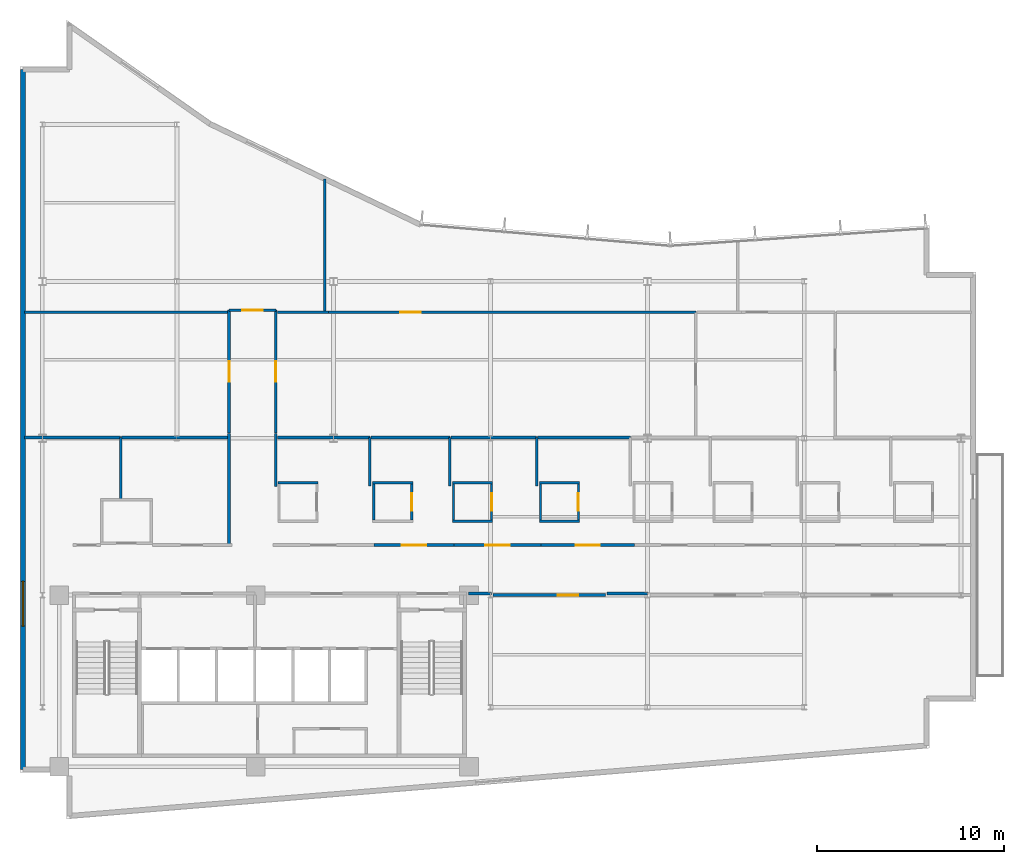
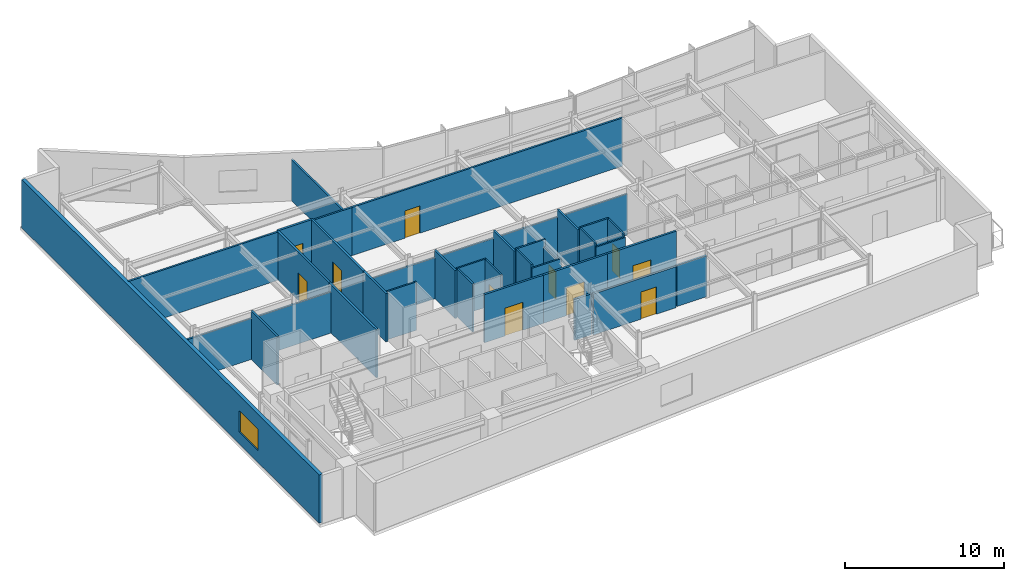
# One storey, part 10 of 15: 38 walls, 11 doors, 1 window, 12 openings.
"""IFC4 building model written with IfcOpenShell, lengths in metres."""

from ifc_helpers import new_model, si_unit, direction, frame, frame_2d, origin, place, context, subcontext, project, spatial, rectangle, extrude, material, layer, layer_set, type_object, element, fill, save


model = new_model("IFC4")

# Units and contexts
model_context = context("Model", 3, precision=1e-05, world=origin(), true_north=direction((0.0, 1.0)))
body_context = subcontext(model_context, "Body", "Model", "MODEL_VIEW")
ifc_project = project(units=[si_unit("LENGTHUNIT", "METRE"), si_unit("AREAUNIT", "SQUARE_METRE"), si_unit("VOLUMEUNIT", "CUBIC_METRE"), si_unit("PLANEANGLEUNIT", "RADIAN"), si_unit("MASSUNIT", "GRAM", prefix="KILO")], contexts=[model_context])

# Site, building, storey
site_placement = place(None, origin())
site = spatial("IfcSite", under=ifc_project, at=site_placement, CompositionType="ELEMENT")
building_placement = place(site_placement, origin())
building = spatial("IfcBuilding", under=site, at=building_placement, Name="Varnakote Quay Hospital", CompositionType="ELEMENT")
storey_placement = place(building_placement, frame((0.0, 0.0, 196.050048828125)))
storey = spatial("IfcBuildingStorey", under=building, at=storey_placement, Name="L48", CompositionType="ELEMENT", Elevation=196.050048828125)

# Walls
ifc_material_1 = material(Name="Fire-rated acoustic gypsum stud wall", Category="gypsum")
ifc_layer_1 = layer(ifc_material_1, 0.159912109375)
ifc_layer_set_1 = layer_set([ifc_layer_1], Name="Fire-rated acoustic gypsum stud wall")
wall_type_1 = type_object("IfcWallType", Name="WL-COMP-160", PredefinedType="PARTITIONING", material=ifc_layer_set_1)
wall_1_placement = place(storey_placement, frame((24.02001953125, 12.080078125, 0.0), z_axis=(0.0, 0.0, 1.0), x_axis=(1.0, 0.0, 0.0)))
element("IfcWall", 1, at=wall_1_placement, inside=storey, type_object=wall_type_1, Name="L48 Corridor South Gap Wall", PredefinedType="PARTITIONING", context=body_context, shape_type="SweptSolid", body=[
    extrude(rectangle(XDim=1.21875, YDim=0.159912109375, at=frame_2d((0.609375, 0.0))), origin(), (0.0, 0.0, 1.0), 3.15185546875),
])
wall_2_placement = place(storey_placement, frame((31.439208984375, 12.080078125, 0.0), z_axis=(0.0, 0.0, 1.0), x_axis=(1.0, 0.0, 0.0)))
element("IfcWall", 2, at=wall_2_placement, inside=storey, type_object=wall_type_1, Name="L48 Corridor South Gap Wall", PredefinedType="PARTITIONING", context=body_context, shape_type="SweptSolid", body=[
    extrude(rectangle(XDim=2.199462890625, YDim=0.159912109375, at=frame_2d((1.099609375, 0.0))), origin(), (0.0, 0.0, 1.0), 3.15185546875),
])
ifc_material_2 = material(Name="Moisture-resistant bathroom partition", Category="gypsum")
ifc_layer_2 = layer(ifc_material_2, 0.114990234375)
ifc_layer_set_2 = layer_set([ifc_layer_2], Name="Moisture-resistant bathroom partition")
wall_type_2 = type_object("IfcWallType", Name="WL-ENS-115", PredefinedType="PARTITIONING", material=ifc_layer_set_2)
wall_3_placement = place(storey_placement, frame((13.804931640625, 18.017578125, 0.0), z_axis=(0.0, 0.0, 1.0), x_axis=(1.0, 0.0, 0.0)))
element("IfcWall", 3, at=wall_3_placement, inside=storey, type_object=wall_type_2, Name="L48 Inpatient En-Suite Bathroom 01 N Wall", PredefinedType="PARTITIONING", context=body_context, shape_type="SweptSolid", body=[
    extrude(rectangle(XDim=2.150146484375, YDim=0.114990234375, at=frame_2d((1.0751953125, 0.0))), origin(), (0.0, 0.0, 1.0), 3.7099609375),
])
wall_4_placement = place(storey_placement, frame((18.885009765625, 18.017578125, 0.0), z_axis=(0.0, 0.0, 1.0), x_axis=(1.0, 0.0, 0.0)))
element("IfcWall", 4, at=wall_4_placement, inside=storey, type_object=wall_type_2, Name="L48 Inpatient En-Suite Bathroom 02 N Wall", PredefinedType="PARTITIONING", context=body_context, shape_type="SweptSolid", body=[
    extrude(rectangle(XDim=2.14990234375, YDim=0.114990234375, at=frame_2d((1.074951171875, 0.0))), origin(), (0.0, 0.0, 1.0), 3.7099609375),
])
wall_5_placement = place(storey_placement, frame((18.9423828125, 16.010009765625, 0.0), z_axis=(0.0, 0.0, 1.0), x_axis=(0.0, 1.0, 0.0)))
element("IfcWall", 5, at=wall_5_placement, inside=storey, type_object=wall_type_2, Name="L48 Inpatient En-Suite Bathroom 02 W Wall", PredefinedType="PARTITIONING", context=body_context, shape_type="SweptSolid", body=[
    extrude(rectangle(XDim=1.949951171875, YDim=0.114990234375, at=frame_2d((0.97509765625, 0.0))), origin(), (0.0, 0.0, 1.0), 3.7099609375),
])

# Wall, opening, door
wall_6_placement = place(storey_placement, frame((20.9775390625, 16.010009765625, 0.0), z_axis=(0.0, 0.0, 1.0), x_axis=(0.0, 1.0, 0.0)))
wall_6 = element("IfcWall", 6, at=wall_6_placement, inside=storey, type_object=wall_type_2, Name="L48 Inpatient En-Suite Bathroom 02 E Wall", PredefinedType="PARTITIONING", context=body_context, shape_type="SweptSolid", body=[
    extrude(rectangle(XDim=1.949951171875, YDim=0.114990234375, at=frame_2d((0.97509765625, 0.0))), origin(), (0.0, 0.0, 1.0), 3.7099609375),
])
opening_1_placement = place(wall_6_placement, frame((0.514892578125, 0.0, 0.0)))
opening_1 = element("IfcOpeningElement", 7, at=opening_1_placement, cuts=wall_6, Name="Opening D-L48-ENS02", PredefinedType="OPENING", context=body_context, shape_type="SweptSolid", body=[
    extrude(rectangle(XDim=0.919921875, YDim=2.10009765625, at=frame_2d((0.4599609375, 1.050048828125))), frame((0.0, 0.0673828125, 0.0), z_axis=(0.0, -1.0, 0.0), x_axis=(1.0, 0.0, 0.0)), (0.0, 0.0, 1.0), 0.135009765625),
])
ifc_material_3 = material(Name="Moisture-sealed en-suite bathroom door")
door_type_1 = type_object("IfcDoorType", Name="DR-ENS-920x2100", OperationType="NOTDEFINED", PredefinedType="DOOR", material=ifc_material_3)
door_1_placement = place(opening_1_placement, origin())
door_1 = element("IfcDoor", 8, at=door_1_placement, inside=storey, type_object=door_type_1, Name="L48 Inpatient En-Suite Bathroom 02 Door", OperationType="SINGLE_SWING_LEFT", OverallHeight=2.10009765625, OverallWidth=0.919921875, PredefinedType="DOOR", context=body_context, shape_type="SweptSolid", body=[
    extrude(rectangle(XDim=0.919921875, YDim=2.10009765625, at=frame_2d((0.4599609375, 1.050048828125))), frame((0.0, 0.02490234375, 0.0), z_axis=(0.0, -1.0, 0.0), x_axis=(1.0, 0.0, 0.0)), (0.0, 0.0, 1.0), 0.050048828125),
])
fill(opening_1, door_1)

# Walls
wall_7_placement = place(storey_placement, frame((23.1650390625, 15.952392578125, 0.0), z_axis=(0.0, 0.0, 1.0), x_axis=(1.0, 0.0, 0.0)))
element("IfcWall", 9, at=wall_7_placement, inside=storey, type_object=wall_type_2, Name="L48 Inpatient En-Suite Bathroom 03 S Wall", PredefinedType="PARTITIONING", context=body_context, shape_type="SweptSolid", body=[
    extrude(rectangle(XDim=2.14990234375, YDim=0.114990234375, at=frame_2d((1.074951171875, 0.0))), origin(), (0.0, 0.0, 1.0), 3.47802734375),
])
wall_8_placement = place(storey_placement, frame((23.1650390625, 18.017578125, 0.0), z_axis=(0.0, 0.0, 1.0), x_axis=(1.0, 0.0, 0.0)))
element("IfcWall", 10, at=wall_8_placement, inside=storey, type_object=wall_type_2, Name="L48 Inpatient En-Suite Bathroom 03 N Wall", PredefinedType="PARTITIONING", context=body_context, shape_type="SweptSolid", body=[
    extrude(rectangle(XDim=2.14990234375, YDim=0.114990234375, at=frame_2d((1.074951171875, 0.0))), origin(), (0.0, 0.0, 1.0), 3.7099609375),
])
wall_9_placement = place(storey_placement, frame((23.222412109375, 16.010009765625, 0.0), z_axis=(0.0, 0.0, 1.0), x_axis=(0.0, 1.0, 0.0)))
element("IfcWall", 11, at=wall_9_placement, inside=storey, type_object=wall_type_2, Name="L48 Inpatient En-Suite Bathroom 03 W Wall", PredefinedType="PARTITIONING", context=body_context, shape_type="SweptSolid", body=[
    extrude(rectangle(XDim=1.949951171875, YDim=0.114990234375, at=frame_2d((0.97509765625, 0.0))), origin(), (0.0, 0.0, 1.0), 3.7099609375),
])

# Wall, opening, door
wall_10_placement = place(storey_placement, frame((25.257568359375, 16.010009765625, 0.0), z_axis=(0.0, 0.0, 1.0), x_axis=(0.0, 1.0, 0.0)))
wall_10 = element("IfcWall", 12, at=wall_10_placement, inside=storey, type_object=wall_type_2, Name="L48 Inpatient En-Suite Bathroom 03 E Wall", PredefinedType="PARTITIONING", context=body_context, shape_type="SweptSolid", body=[
    extrude(rectangle(XDim=1.949951171875, YDim=0.114990234375, at=frame_2d((0.97509765625, 0.0))), origin(), (0.0, 0.0, 1.0), 3.15185546875),
])
opening_2_placement = place(wall_10_placement, frame((0.514892578125, 0.0, 0.0)))
opening_2 = element("IfcOpeningElement", 13, at=opening_2_placement, cuts=wall_10, Name="Opening D-L48-ENS03", PredefinedType="OPENING", context=body_context, shape_type="SweptSolid", body=[
    extrude(rectangle(XDim=0.919921875, YDim=2.10009765625, at=frame_2d((0.4599609375, 1.050048828125))), frame((0.0, 0.0673828125, 0.0), z_axis=(0.0, -1.0, 0.0), x_axis=(1.0, 0.0, 0.0)), (0.0, 0.0, 1.0), 0.135009765625),
])
door_2_placement = place(opening_2_placement, origin())
door_2 = element("IfcDoor", 14, at=door_2_placement, inside=storey, type_object=door_type_1, Name="L48 Inpatient En-Suite Bathroom 03 Door", OperationType="SINGLE_SWING_RIGHT", OverallHeight=2.10009765625, OverallWidth=0.919921875, PredefinedType="DOOR", context=body_context, shape_type="SweptSolid", body=[
    extrude(rectangle(XDim=0.919921875, YDim=2.10009765625, at=frame_2d((0.4599609375, 1.050048828125))), frame((0.0, 0.02490234375, 0.0), z_axis=(0.0, -1.0, 0.0), x_axis=(1.0, 0.0, 0.0)), (0.0, 0.0, 1.0), 0.050048828125),
])
fill(opening_2, door_2)

# Walls
wall_11_placement = place(storey_placement, frame((27.81494140625, 15.952392578125, 0.0), z_axis=(0.0, 0.0, 1.0), x_axis=(1.0, 0.0, 0.0)))
element("IfcWall", 15, at=wall_11_placement, inside=storey, type_object=wall_type_2, Name="L48 Inpatient En-Suite Bathroom 04 S Wall", PredefinedType="PARTITIONING", context=body_context, shape_type="SweptSolid", body=[
    extrude(rectangle(XDim=2.150146484375, YDim=0.114990234375, at=frame_2d((1.0751953125, 0.0))), origin(), (0.0, 0.0, 1.0), 3.47802734375),
])
wall_12_placement = place(storey_placement, frame((27.81494140625, 18.017578125, 0.0), z_axis=(0.0, 0.0, 1.0), x_axis=(1.0, 0.0, 0.0)))
element("IfcWall", 16, at=wall_12_placement, inside=storey, type_object=wall_type_2, Name="L48 Inpatient En-Suite Bathroom 04 N Wall", PredefinedType="PARTITIONING", context=body_context, shape_type="SweptSolid", body=[
    extrude(rectangle(XDim=2.150146484375, YDim=0.114990234375, at=frame_2d((1.0751953125, 0.0))), origin(), (0.0, 0.0, 1.0), 3.7099609375),
])
wall_13_placement = place(storey_placement, frame((27.87255859375, 16.010009765625, 0.0), z_axis=(0.0, 0.0, 1.0), x_axis=(0.0, 1.0, 0.0)))
element("IfcWall", 17, at=wall_13_placement, inside=storey, type_object=wall_type_2, Name="L48 Inpatient En-Suite Bathroom 04 W Wall", PredefinedType="PARTITIONING", context=body_context, shape_type="SweptSolid", body=[
    extrude(rectangle(XDim=1.949951171875, YDim=0.114990234375, at=frame_2d((0.97509765625, 0.0))), origin(), (0.0, 0.0, 1.0), 3.7099609375),
])

# Wall, opening, door
wall_14_placement = place(storey_placement, frame((29.907470703125, 16.010009765625, 0.0), z_axis=(0.0, 0.0, 1.0), x_axis=(0.0, 1.0, 0.0)))
wall_14 = element("IfcWall", 18, at=wall_14_placement, inside=storey, type_object=wall_type_2, Name="L48 Inpatient En-Suite Bathroom 04 E Wall", PredefinedType="PARTITIONING", context=body_context, shape_type="SweptSolid", body=[
    extrude(rectangle(XDim=1.949951171875, YDim=0.114990234375, at=frame_2d((0.97509765625, 0.0))), origin(), (0.0, 0.0, 1.0), 3.7099609375),
])
opening_3_placement = place(wall_14_placement, frame((0.514892578125, 0.0, 0.0)))
opening_3 = element("IfcOpeningElement", 19, at=opening_3_placement, cuts=wall_14, Name="Opening D-L48-ENS04", PredefinedType="OPENING", context=body_context, shape_type="SweptSolid", body=[
    extrude(rectangle(XDim=0.919921875, YDim=2.10009765625, at=frame_2d((0.4599609375, 1.050048828125))), frame((0.0, 0.0673828125, 0.0), z_axis=(0.0, -1.0, 0.0), x_axis=(1.0, 0.0, 0.0)), (0.0, 0.0, 1.0), 0.135009765625),
])
door_3_placement = place(opening_3_placement, origin())
door_3 = element("IfcDoor", 20, at=door_3_placement, inside=storey, type_object=door_type_1, Name="L48 Inpatient En-Suite Bathroom 04 Door", OperationType="SINGLE_SWING_LEFT", OverallHeight=2.10009765625, OverallWidth=0.919921875, PredefinedType="DOOR", context=body_context, shape_type="SweptSolid", body=[
    extrude(rectangle(XDim=0.919921875, YDim=2.10009765625, at=frame_2d((0.4599609375, 1.050048828125))), frame((0.0, 0.02490234375, 0.0), z_axis=(0.0, -1.0, 0.0), x_axis=(1.0, 0.0, 0.0)), (0.0, 0.0, 1.0), 0.050048828125),
])
fill(opening_3, door_3)

# Wall, opening, window
ifc_material_4 = material(Name="Precast concrete N50 (f'c 50 MPa)", Category="concrete")
ifc_layer_3 = layer(ifc_material_4, 0.260009765625)
ifc_layer_set_3 = layer_set([ifc_layer_3], Name="Precast concrete N50 (f'c 50 MPa)")
wall_type_3 = type_object("IfcWallType", Name="WL-EXT-BRICK-260", PredefinedType="STANDARD", material=ifc_layer_set_3)
wall_15_placement = place(storey_placement, frame((0.159912109375, 40.139892578125, 0.0), z_axis=(0.0, 0.0, 1.0), x_axis=(0.0, -1.0, 0.0)))
wall_15 = element("IfcWall", 21, at=wall_15_placement, inside=storey, type_object=wall_type_3, Name="L48 Brick-Faced Precast Exterior Wall", PredefinedType="STANDARD", context=body_context, shape_type="SweptSolid", body=[
    extrude(rectangle(XDim=37.47998046875, YDim=0.260009765625, at=frame_2d((18.739990234375, 0.0))), origin(), (0.0, 0.0, 1.0), 3.7099609375),
])
opening_4_placement = place(wall_15_placement, frame((27.39990234375, 0.0, 0.89990234375)))
opening_4 = element("IfcOpeningElement", 22, at=opening_4_placement, cuts=wall_15, Name="Opening WN-0201", PredefinedType="OPENING", context=body_context, shape_type="SweptSolid", body=[
    extrude(rectangle(XDim=2.39990234375, YDim=1.64990234375, at=frame_2d((1.199951171875, 0.824951171875))), frame((0.0, 0.139892578125, 0.0), z_axis=(0.0, -1.0, 0.0), x_axis=(1.0, 0.0, 0.0)), (0.0, 0.0, 1.0), 0.280029296875),
])
ifc_material_5 = material(Name="Double-glazed low-E solar glass", Category="glass")
window_type = type_object("IfcWindowType", Name="WIN-CLIN-2400x1650", PartitioningType="SINGLE_PANEL", PredefinedType="WINDOW", material=ifc_material_5)
window_placement = place(opening_4_placement, origin())
window = element("IfcWindow", 23, at=window_placement, inside=storey, type_object=window_type, Name="L48 Solar-Control Clinical Window", OverallHeight=1.64990234375, OverallWidth=2.39990234375, PartitioningType="SINGLE_PANEL", PredefinedType="WINDOW", context=body_context, shape_type="SweptSolid", body=[
    extrude(rectangle(XDim=2.39990234375, YDim=1.64990234375, at=frame_2d((1.199951171875, 0.824951171875))), frame((0.0, 0.030029296875, 0.0), z_axis=(0.0, -1.0, 0.0), x_axis=(1.0, 0.0, 0.0)), (0.0, 0.0, 1.0), 0.06005859375),
])
fill(opening_4, window)

# Walls
ifc_material_6 = material(Name="Smoke-proof clinical partition", Category="gypsum")
ifc_layer_4 = layer(ifc_material_6, 0.135009765625)
ifc_layer_set_4 = layer_set([ifc_layer_4], Name="Smoke-proof clinical partition")
wall_type_4 = type_object("IfcWallType", Name="WL-SMOKE-135", PredefinedType="PARTITIONING", material=ifc_layer_set_4)
wall_16_placement = place(storey_placement, frame((5.389892578125, 17.139892578125, 0.0), z_axis=(0.0, 0.0, 1.0), x_axis=(0.0, 1.0, 0.0)))
element("IfcWall", 24, at=wall_16_placement, inside=storey, type_object=wall_type_4, Name="L48 Clinical Interior Partition", PredefinedType="PARTITIONING", context=body_context, shape_type="SweptSolid", body=[
    extrude(rectangle(XDim=3.300048828125, YDim=0.135009765625, at=frame_2d((1.64990234375, 0.0))), origin(), (0.0, 0.0, 1.0), 3.7099609375),
])
wall_17_placement = place(storey_placement, frame((5.389892578125, 20.43994140625, 0.0), z_axis=(0.0, 0.0, 1.0), x_axis=(-1.0, 0.0, 0.0)))
element("IfcWall", 25, at=wall_17_placement, inside=storey, type_object=wall_type_4, Name="L48 Clinical Interior Partition", PredefinedType="PARTITIONING", context=body_context, shape_type="SweptSolid", body=[
    extrude(rectangle(XDim=5.14990234375, YDim=0.135009765625, at=frame_2d((2.574951171875, 0.0))), origin(), (0.0, 0.0, 1.0), 3.15185546875),
])
wall_18_placement = place(storey_placement, frame((11.1201171875, 20.43994140625, 0.0), z_axis=(0.0, 0.0, 1.0), x_axis=(-1.0, 0.0, 0.0)))
element("IfcWall", 26, at=wall_18_placement, inside=storey, type_object=wall_type_4, Name="L48 Clinical Interior Partition", PredefinedType="PARTITIONING", context=body_context, shape_type="SweptSolid", body=[
    extrude(rectangle(XDim=5.672607421875, YDim=0.135009765625, at=frame_2d((2.83642578125, 0.0))), origin(), (0.0, 0.0, 1.0), 3.15185546875),
])
wall_19_placement = place(storey_placement, frame((18.739990234375, 17.83251953125, 0.0), z_axis=(0.0, 0.0, 1.0), x_axis=(0.0, 1.0, 0.0)))
element("IfcWall", 27, at=wall_19_placement, inside=storey, type_object=wall_type_4, Name="L48 Clinical Interior Partition", PredefinedType="PARTITIONING", context=body_context, shape_type="SweptSolid", body=[
    extrude(rectangle(XDim=2.607421875, YDim=0.135009765625, at=frame_2d((1.3037109375, 0.0))), origin(), (0.0, 0.0, 1.0), 3.7099609375),
])
wall_20_placement = place(storey_placement, frame((18.739990234375, 20.43994140625, 0.0), z_axis=(0.0, 0.0, 1.0), x_axis=(-1.0, 0.0, 0.0)))
element("IfcWall", 28, at=wall_20_placement, inside=storey, type_object=wall_type_4, Name="L48 Clinical Interior Partition", PredefinedType="PARTITIONING", context=body_context, shape_type="SweptSolid", body=[
    extrude(rectangle(XDim=4.9599609375, YDim=0.135009765625, at=frame_2d((2.47998046875, 0.0))), origin(), (0.0, 0.0, 1.0), 3.15185546875),
])
wall_21_placement = place(storey_placement, frame((23.02001953125, 17.83251953125, 0.0), z_axis=(0.0, 0.0, 1.0), x_axis=(0.0, 1.0, 0.0)))
element("IfcWall", 29, at=wall_21_placement, inside=storey, type_object=wall_type_4, Name="L48 Clinical Interior Partition", PredefinedType="PARTITIONING", context=body_context, shape_type="SweptSolid", body=[
    extrude(rectangle(XDim=2.607421875, YDim=0.135009765625, at=frame_2d((1.3037109375, 0.0))), origin(), (0.0, 0.0, 1.0), 3.7099609375),
])
wall_22_placement = place(storey_placement, frame((23.02001953125, 20.43994140625, 0.0), z_axis=(0.0, 0.0, 1.0), x_axis=(-1.0, 0.0, 0.0)))
element("IfcWall", 30, at=wall_22_placement, inside=storey, type_object=wall_type_4, Name="L48 Clinical Interior Partition", PredefinedType="PARTITIONING", context=body_context, shape_type="SweptSolid", body=[
    extrude(rectangle(XDim=4.222412109375, YDim=0.135009765625, at=frame_2d((2.111328125, 0.0))), origin(), (0.0, 0.0, 1.0), 3.15185546875),
])
wall_23_placement = place(storey_placement, frame((27.669921875, 17.83251953125, 0.0), z_axis=(0.0, 0.0, 1.0), x_axis=(0.0, 1.0, 0.0)))
element("IfcWall", 31, at=wall_23_placement, inside=storey, type_object=wall_type_4, Name="L48 Clinical Interior Partition", PredefinedType="PARTITIONING", context=body_context, shape_type="SweptSolid", body=[
    extrude(rectangle(XDim=2.607421875, YDim=0.135009765625, at=frame_2d((1.3037109375, 0.0))), origin(), (0.0, 0.0, 1.0), 3.7099609375),
])
wall_24_placement = place(storey_placement, frame((27.669921875, 20.43994140625, 0.0), z_axis=(0.0, 0.0, 1.0), x_axis=(-1.0, 0.0, 0.0)))
element("IfcWall", 32, at=wall_24_placement, inside=storey, type_object=wall_type_4, Name="L48 Clinical Interior Partition", PredefinedType="PARTITIONING", context=body_context, shape_type="SweptSolid", body=[
    extrude(rectangle(XDim=4.592529296875, YDim=0.135009765625, at=frame_2d((2.29638671875, 0.0))), origin(), (0.0, 0.0, 1.0), 3.15185546875),
])
wall_25_placement = place(storey_placement, frame((32.68994140625, 20.43994140625, 0.0), z_axis=(0.0, 0.0, 1.0), x_axis=(-1.0, 0.0, 0.0)))
element("IfcWall", 33, at=wall_25_placement, inside=storey, type_object=wall_type_4, Name="L48 Clinical Interior Partition", PredefinedType="PARTITIONING", context=body_context, shape_type="SweptSolid", body=[
    extrude(rectangle(XDim=4.96240234375, YDim=0.135009765625, at=frame_2d((2.481201171875, 0.0))), origin(), (0.0, 0.0, 1.0), 3.15185546875),
])
wall_26_placement = place(storey_placement, frame((11.1201171875, 27.139892578125, 0.0), z_axis=(0.0, 0.0, 1.0), x_axis=(-1.0, 0.0, 0.0)))
element("IfcWall", 34, at=wall_26_placement, inside=storey, type_object=wall_type_4, Name="L48 Clinical Interior Partition", PredefinedType="PARTITIONING", context=body_context, shape_type="SweptSolid", body=[
    extrude(rectangle(XDim=10.880126953125, YDim=0.135009765625, at=frame_2d((5.43994140625, 0.0))), origin(), (0.0, 0.0, 1.0), 3.7099609375),
])
wall_27_placement = place(storey_placement, frame((16.517578125, 27.139892578125, 0.0), z_axis=(0.0, 0.0, 1.0), x_axis=(-1.0, 0.0, 0.0)))
element("IfcWall", 35, at=wall_27_placement, inside=storey, type_object=wall_type_4, Name="L48 Clinical Interior Partition", PredefinedType="PARTITIONING", context=body_context, shape_type="SweptSolid", body=[
    extrude(rectangle(XDim=2.737548828125, YDim=0.135009765625, at=frame_2d((1.36865234375, 0.0))), origin(), (0.0, 0.0, 1.0), 3.7099609375),
])

# Wall, opening, door
wall_28_placement = place(storey_placement, frame((36.199951171875, 27.139892578125, 0.0), z_axis=(0.0, 0.0, 1.0), x_axis=(-1.0, 0.0, 0.0)))
wall_28 = element("IfcWall", 36, at=wall_28_placement, inside=storey, type_object=wall_type_4, Name="L48 Clinical Interior Partition", PredefinedType="PARTITIONING", context=body_context, shape_type="SweptSolid", body=[
    extrude(rectangle(XDim=19.680419921875, YDim=0.135009765625, at=frame_2d((9.84033203125, 0.0))), origin(), (0.0, 0.0, 1.0), 3.7099609375),
])
opening_5_placement = place(wall_28_placement, frame((14.744384765625, 0.0, 0.0)))
opening_5 = element("IfcOpeningElement", 37, at=opening_5_placement, cuts=wall_28, Name="Opening D-L48-MD06", PredefinedType="OPENING", context=body_context, shape_type="SweptSolid", body=[
    extrude(rectangle(XDim=1.10009765625, YDim=2.10009765625, at=frame_2d((0.550048828125, 1.050048828125))), frame((0.0, 0.077392578125, 0.0), z_axis=(0.0, -1.0, 0.0), x_axis=(1.0, 0.0, 0.0)), (0.0, 0.0, 1.0), 0.155029296875),
])
ifc_material_7 = material(Name="Acoustic timber clinical consult door", Category="wood")
door_type_2 = type_object("IfcDoorType", Name="DR-CLIN-FD30S-1100x2100", OperationType="NOTDEFINED", PredefinedType="DOOR", material=ifc_material_7)
door_4_placement = place(opening_5_placement, origin())
door_4 = element("IfcDoor", 38, at=door_4_placement, inside=storey, type_object=door_type_2, Name="L48 Cardiology Telemetry Treatment Suite Door", OperationType="SINGLE_SWING_LEFT", OverallHeight=2.10009765625, OverallWidth=1.10009765625, PredefinedType="DOOR", context=body_context, shape_type="SweptSolid", body=[
    extrude(rectangle(XDim=1.10009765625, YDim=2.10009765625, at=frame_2d((0.550048828125, 1.050048828125))), frame((0.0, 0.02490234375, 0.0), z_axis=(0.0, -1.0, 0.0), x_axis=(1.0, 0.0, 0.0)), (0.0, 0.0, 1.0), 0.050048828125),
])
fill(opening_5, door_4)

# Wall
wall_29_placement = place(storey_placement, frame((16.31005859375, 27.197509765625, 0.0), z_axis=(0.0, 0.0, 1.0), x_axis=(0.0, 1.0, 0.0)))
element("IfcWall", 39, at=wall_29_placement, inside=storey, type_object=wall_type_4, Name="L48 Clinical Interior Partition", PredefinedType="PARTITIONING", context=body_context, shape_type="SweptSolid", body=[
    extrude(rectangle(XDim=7.09326171875, YDim=0.135009765625, at=frame_2d((3.546630859375, 0.0))), origin(), (0.0, 0.0, 1.0), 3.15185546875),
])

# Wall, opening, door
ifc_material_8 = material(Name="Fire-rated clinical gypsum partition", Category="gypsum")
ifc_layer_5 = layer(ifc_material_8, 0.14990234375)
ifc_layer_set_5 = layer_set([ifc_layer_5], Name="Fire-rated clinical gypsum partition")
wall_type_5 = type_object("IfcWallType", Name="WL-WARD-150", PredefinedType="PARTITIONING", material=ifc_layer_set_5)
wall_30_placement = place(storey_placement, frame((31.35009765625, 12.0, 0.0), z_axis=(0.0, 0.0, 1.0), x_axis=(-1.0, 0.0, 0.0)))
wall_30 = element("IfcWall", 40, at=wall_30_placement, inside=storey, type_object=wall_type_5, Name="L48 Clinical Interior Partition", PredefinedType="PARTITIONING", context=body_context, shape_type="SweptSolid", body=[
    extrude(rectangle(XDim=6.022216796875, YDim=0.14990234375, at=frame_2d((3.01123046875, 0.0))), origin(), (0.0, 0.0, 1.0), 3.15185546875),
])
opening_6_placement = place(wall_30_placement, frame((1.443603515625, 0.0, 0.0)))
opening_6 = element("IfcOpeningElement", 41, at=opening_6_placement, cuts=wall_30, Name="Opening D-L48-RL1", PredefinedType="OPENING", context=body_context, shape_type="SweptSolid", body=[
    extrude(rectangle(XDim=1.10009765625, YDim=2.10009765625, at=frame_2d((0.550048828125, 1.050048828125))), frame((0.0, 0.0849609375, 0.0), z_axis=(0.0, -1.0, 0.0), x_axis=(1.0, 0.0, 0.0)), (0.0, 0.0, 1.0), 0.169921875),
])
door_5_placement = place(opening_6_placement, origin())
door_5 = element("IfcDoor", 42, at=door_5_placement, inside=storey, type_object=door_type_2, Name="L48 Day Infusion Treatment Suite Door", OperationType="SINGLE_SWING_RIGHT", OverallHeight=2.10009765625, OverallWidth=1.10009765625, PredefinedType="DOOR", context=body_context, shape_type="SweptSolid", body=[
    extrude(rectangle(XDim=1.10009765625, YDim=2.10009765625, at=frame_2d((0.550048828125, 1.050048828125))), frame((0.0, 0.02490234375, 0.0), z_axis=(0.0, -1.0, 0.0), x_axis=(1.0, 0.0, 0.0)), (0.0, 0.0, 1.0), 0.050048828125),
])
fill(opening_6, door_5)

wall_31_placement = place(storey_placement, frame((23.24609375, 14.679931640625, 0.0), z_axis=(0.0, 0.0, 1.0), x_axis=(-1.0, 0.0, 0.0)))
wall_31 = element("IfcWall", 43, at=wall_31_placement, inside=storey, type_object=wall_type_5, Name="L48 Clinical Interior Partition", PredefinedType="PARTITIONING", context=body_context, shape_type="SweptSolid", body=[
    extrude(rectangle(XDim=4.278076171875, YDim=0.14990234375, at=frame_2d((2.13916015625, 0.0))), origin(), (0.0, 0.0, 1.0), 3.7099609375),
])
opening_7_placement = place(wall_31_placement, frame((1.489013671875, 0.0, 0.0)))
opening_7 = element("IfcOpeningElement", 44, at=opening_7_placement, cuts=wall_31, Name="Opening D-L48-BR02", PredefinedType="OPENING", context=body_context, shape_type="SweptSolid", body=[
    extrude(rectangle(XDim=1.300048828125, YDim=2.14990234375, at=frame_2d((0.64990234375, 1.074951171875))), frame((0.0, 0.0849609375, 0.0), z_axis=(0.0, -1.0, 0.0), x_axis=(1.0, 0.0, 0.0)), (0.0, 0.0, 1.0), 0.169921875),
])
ifc_material_9 = material(Name="Solid-core timber clinical bed door", Category="wood")
door_type_3 = type_object("IfcDoorType", Name="DR-WARD-FD30S-1300x2150", OperationType="NOTDEFINED", PredefinedType="DOOR", material=ifc_material_9)
door_6_placement = place(opening_7_placement, origin())
door_6 = element("IfcDoor", 45, at=door_6_placement, inside=storey, type_object=door_type_3, Name="L48 Resident Care Bedroom 02 Door", OperationType="SINGLE_SWING_RIGHT", OverallHeight=2.14990234375, OverallWidth=1.300048828125, PredefinedType="DOOR", context=body_context, shape_type="SweptSolid", body=[
    extrude(rectangle(XDim=1.300048828125, YDim=2.14990234375, at=frame_2d((0.64990234375, 1.074951171875))), frame((0.0, 0.02490234375, 0.0), z_axis=(0.0, -1.0, 0.0), x_axis=(1.0, 0.0, 0.0)), (0.0, 0.0, 1.0), 0.050048828125),
])
fill(opening_7, door_6)

wall_32_placement = place(storey_placement, frame((27.89599609375, 14.679931640625, 0.0), z_axis=(0.0, 0.0, 1.0), x_axis=(-1.0, 0.0, 0.0)))
wall_32 = element("IfcWall", 46, at=wall_32_placement, inside=storey, type_object=wall_type_5, Name="L48 Clinical Interior Partition", PredefinedType="PARTITIONING", context=body_context, shape_type="SweptSolid", body=[
    extrude(rectangle(XDim=4.64794921875, YDim=0.14990234375, at=frame_2d((2.323974609375, 0.0))), origin(), (0.0, 0.0, 1.0), 3.7099609375),
])
opening_8_placement = place(wall_32_placement, frame((1.674072265625, 0.0, 0.0)))
opening_8 = element("IfcOpeningElement", 47, at=opening_8_placement, cuts=wall_32, Name="Opening D-L48-BR03", PredefinedType="OPENING", context=body_context, shape_type="SweptSolid", body=[
    extrude(rectangle(XDim=1.300048828125, YDim=2.14990234375, at=frame_2d((0.64990234375, 1.074951171875))), frame((0.0, 0.0849609375, 0.0), z_axis=(0.0, -1.0, 0.0), x_axis=(1.0, 0.0, 0.0)), (0.0, 0.0, 1.0), 0.169921875),
])
door_7_placement = place(opening_8_placement, origin())
door_7 = element("IfcDoor", 48, at=door_7_placement, inside=storey, type_object=door_type_3, Name="L48 Resident Care Bedroom 03 Door", OperationType="SINGLE_SWING_LEFT", OverallHeight=2.14990234375, OverallWidth=1.300048828125, PredefinedType="DOOR", context=body_context, shape_type="SweptSolid", body=[
    extrude(rectangle(XDim=1.300048828125, YDim=2.14990234375, at=frame_2d((0.64990234375, 1.074951171875))), frame((0.0, 0.02490234375, 0.0), z_axis=(0.0, -1.0, 0.0), x_axis=(1.0, 0.0, 0.0)), (0.0, 0.0, 1.0), 0.050048828125),
])
fill(opening_8, door_7)

wall_33_placement = place(storey_placement, frame((32.916015625, 14.679931640625, 0.0), z_axis=(0.0, 0.0, 1.0), x_axis=(-1.0, 0.0, 0.0)))
wall_33 = element("IfcWall", 49, at=wall_33_placement, inside=storey, type_object=wall_type_5, Name="L48 Clinical Interior Partition", PredefinedType="PARTITIONING", context=body_context, shape_type="SweptSolid", body=[
    extrude(rectangle(XDim=5.01806640625, YDim=0.14990234375, at=frame_2d((2.509033203125, 0.0))), origin(), (0.0, 0.0, 1.0), 3.7099609375),
])
opening_9_placement = place(wall_33_placement, frame((1.85888671875, 0.0, 0.0)))
opening_9 = element("IfcOpeningElement", 50, at=opening_9_placement, cuts=wall_33, Name="Opening D-L48-BR04", PredefinedType="OPENING", context=body_context, shape_type="SweptSolid", body=[
    extrude(rectangle(XDim=1.300048828125, YDim=2.14990234375, at=frame_2d((0.64990234375, 1.074951171875))), frame((0.0, 0.0849609375, 0.0), z_axis=(0.0, -1.0, 0.0), x_axis=(1.0, 0.0, 0.0)), (0.0, 0.0, 1.0), 0.169921875),
])
door_8_placement = place(opening_9_placement, origin())
door_8 = element("IfcDoor", 51, at=door_8_placement, inside=storey, type_object=door_type_3, Name="L48 Resident Care Bedroom 04 Door", OperationType="SINGLE_SWING_RIGHT", OverallHeight=2.14990234375, OverallWidth=1.300048828125, PredefinedType="DOOR", context=body_context, shape_type="SweptSolid", body=[
    extrude(rectangle(XDim=1.300048828125, YDim=2.14990234375, at=frame_2d((0.64990234375, 1.074951171875))), frame((0.0, 0.02490234375, 0.0), z_axis=(0.0, -1.0, 0.0), x_axis=(1.0, 0.0, 0.0)), (0.0, 0.0, 1.0), 0.050048828125),
])
fill(opening_9, door_8)

# Walls
wall_34_placement = place(storey_placement, frame((11.199951171875, 20.666015625, 0.0), z_axis=(0.0, 0.0, 1.0), x_axis=(0.0, -1.0, 0.0)))
element("IfcWall", 52, at=wall_34_placement, inside=storey, type_object=wall_type_5, Name="L48 Clinical Interior Partition", PredefinedType="PARTITIONING", context=body_context, shape_type="SweptSolid", body=[
    extrude(rectangle(XDim=5.966064453125, YDim=0.14990234375, at=frame_2d((2.98291015625, 0.0))), origin(), (0.0, 0.0, 1.0), 3.7099609375),
])
wall_35_placement = place(storey_placement, frame((13.699951171875, 17.81396484375, 0.0), z_axis=(0.0, 0.0, 1.0), x_axis=(0.0, 1.0, 0.0)))
element("IfcWall", 53, at=wall_35_placement, inside=storey, type_object=wall_type_5, Name="L48 Clinical Interior Partition", PredefinedType="PARTITIONING", context=body_context, shape_type="SweptSolid", body=[
    extrude(rectangle(XDim=2.85205078125, YDim=0.14990234375, at=frame_2d((1.426025390625, 0.0))), origin(), (0.0, 0.0, 1.0), 3.7099609375),
])

# Wall, opening, door
wall_36_placement = place(storey_placement, frame((11.199951171875, 27.260009765625, 0.0), z_axis=(0.0, 0.0, 1.0), x_axis=(0.0, -1.0, 0.0)))
wall_36 = element("IfcWall", 54, at=wall_36_placement, inside=storey, type_object=wall_type_5, Name="L48 Clinical Interior Partition", PredefinedType="PARTITIONING", context=body_context, shape_type="SweptSolid", body=[
    extrude(rectangle(XDim=6.592041015625, YDim=0.14990234375, at=frame_2d((3.2958984375, 0.0))), origin(), (0.0, 0.0, 1.0), 3.7099609375),
])
opening_10_placement = place(wall_36_placement, frame((2.74609375, 0.0, 0.0)))
opening_10 = element("IfcOpeningElement", 55, at=opening_10_placement, cuts=wall_36, Name="Opening D-L48-MD03", PredefinedType="OPENING", context=body_context, shape_type="SweptSolid", body=[
    extrude(rectangle(XDim=1.10009765625, YDim=2.10009765625, at=frame_2d((0.550048828125, 1.050048828125))), frame((0.0, 0.0849609375, 0.0), z_axis=(0.0, -1.0, 0.0), x_axis=(1.0, 0.0, 0.0)), (0.0, 0.0, 1.0), 0.169921875),
])
door_9_placement = place(opening_10_placement, origin())
door_9 = element("IfcDoor", 56, at=door_9_placement, inside=storey, type_object=door_type_2, Name="L48 Heart Team Clinical Consultation Suite Door", OperationType="SINGLE_SWING_LEFT", OverallHeight=2.10009765625, OverallWidth=1.10009765625, PredefinedType="DOOR", context=body_context, shape_type="SweptSolid", body=[
    extrude(rectangle(XDim=1.10009765625, YDim=2.10009765625, at=frame_2d((0.550048828125, 1.050048828125))), frame((0.0, 0.02490234375, 0.0), z_axis=(0.0, -1.0, 0.0), x_axis=(1.0, 0.0, 0.0)), (0.0, 0.0, 1.0), 0.050048828125),
])
fill(opening_10, door_9)

wall_37_placement = place(storey_placement, frame((13.699951171875, 20.66796875, 0.0), z_axis=(0.0, 0.0, 1.0), x_axis=(0.0, 1.0, 0.0)))
wall_37 = element("IfcWall", 57, at=wall_37_placement, inside=storey, type_object=wall_type_5, Name="L48 Clinical Interior Partition", PredefinedType="PARTITIONING", context=body_context, shape_type="SweptSolid", body=[
    extrude(rectangle(XDim=6.592041015625, YDim=0.14990234375, at=frame_2d((3.2958984375, 0.0))), origin(), (0.0, 0.0, 1.0), 3.7099609375),
])
opening_11_placement = place(wall_37_placement, frame((2.74609375, 0.0, 0.0)))
opening_11 = element("IfcOpeningElement", 58, at=opening_11_placement, cuts=wall_37, Name="Opening D-L48-MD04", PredefinedType="OPENING", context=body_context, shape_type="SweptSolid", body=[
    extrude(rectangle(XDim=1.10009765625, YDim=2.10009765625, at=frame_2d((0.550048828125, 1.050048828125))), frame((0.0, 0.0849609375, 0.0), z_axis=(0.0, -1.0, 0.0), x_axis=(1.0, 0.0, 0.0)), (0.0, 0.0, 1.0), 0.169921875),
])
door_10_placement = place(opening_11_placement, origin())
door_10 = element("IfcDoor", 59, at=door_10_placement, inside=storey, type_object=door_type_2, Name="L48 Cardiac Ward Pantry Door", OperationType="SINGLE_SWING_RIGHT", OverallHeight=2.10009765625, OverallWidth=1.10009765625, PredefinedType="DOOR", context=body_context, shape_type="SweptSolid", body=[
    extrude(rectangle(XDim=1.10009765625, YDim=2.10009765625, at=frame_2d((0.550048828125, 1.050048828125))), frame((0.0, 0.02490234375, 0.0), z_axis=(0.0, -1.0, 0.0), x_axis=(1.0, 0.0, 0.0)), (0.0, 0.0, 1.0), 0.050048828125),
])
fill(opening_11, door_10)

wall_38_placement = place(storey_placement, frame((13.699951171875, 27.260009765625, 0.0), z_axis=(0.0, 0.0, 1.0), x_axis=(-1.0, 0.0, 0.0)))
wall_38 = element("IfcWall", 60, at=wall_38_placement, inside=storey, type_object=wall_type_5, Name="L48 Clinical Interior Partition", PredefinedType="PARTITIONING", context=body_context, shape_type="SweptSolid", body=[
    extrude(rectangle(XDim=2.5, YDim=0.14990234375, at=frame_2d((1.25, 0.0))), origin(), (0.0, 0.0, 1.0), 3.7099609375),
])
opening_12_placement = place(wall_38_placement, frame((0.699951171875, 0.0, 0.0)))
opening_12 = element("IfcOpeningElement", 61, at=opening_12_placement, cuts=wall_38, Name="Opening D-L48-MD05", PredefinedType="OPENING", context=body_context, shape_type="SweptSolid", body=[
    extrude(rectangle(XDim=1.10009765625, YDim=2.10009765625, at=frame_2d((0.550048828125, 1.050048828125))), frame((0.0, 0.0849609375, 0.0), z_axis=(0.0, -1.0, 0.0), x_axis=(1.0, 0.0, 0.0)), (0.0, 0.0, 1.0), 0.169921875),
])
door_11_placement = place(opening_12_placement, origin())
door_11 = element("IfcDoor", 62, at=door_11_placement, inside=storey, type_object=door_type_2, Name="L48 Ward Nurse Station Office Door", OperationType="SINGLE_SWING_LEFT", OverallHeight=2.10009765625, OverallWidth=1.10009765625, PredefinedType="DOOR", context=body_context, shape_type="SweptSolid", body=[
    extrude(rectangle(XDim=1.10009765625, YDim=2.10009765625, at=frame_2d((0.550048828125, 1.050048828125))), frame((0.0, 0.02490234375, 0.0), z_axis=(0.0, -1.0, 0.0), x_axis=(1.0, 0.0, 0.0)), (0.0, 0.0, 1.0), 0.050048828125),
])
fill(opening_12, door_11)

save(model, "model.ifc")
